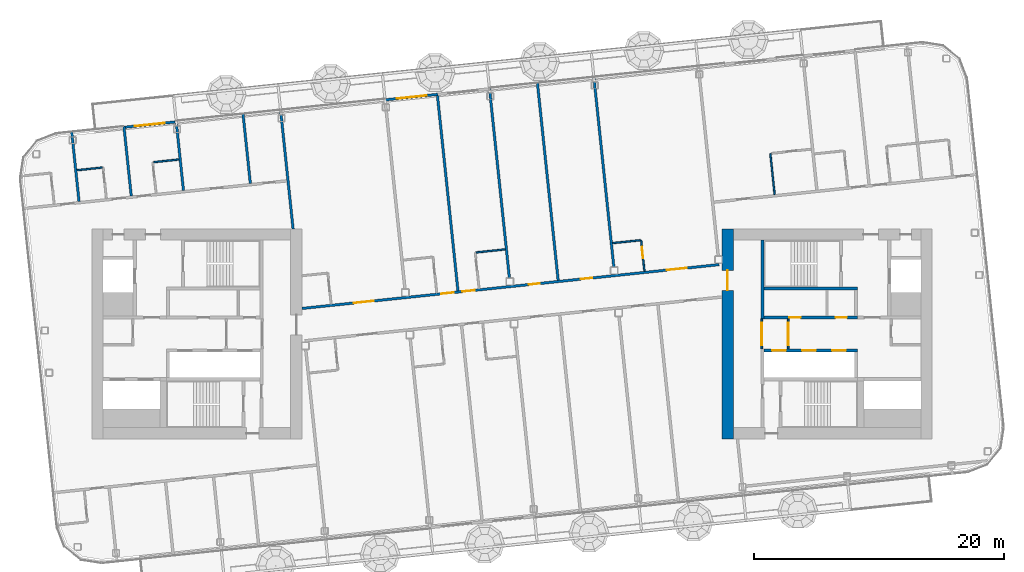
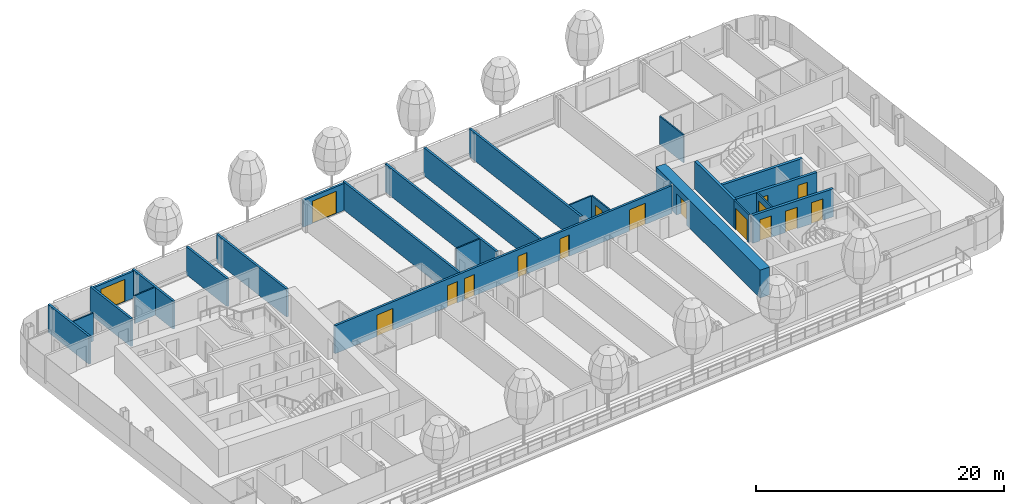
# One storey, part 15 of 30: 25 walls, 17 doors, 17 openings, 1 element without a shape of its own.
"""IFC4 building model written with IfcOpenShell, lengths in metres."""

import ifcopenshell
import ifcopenshell.guid

model = None  # the IFC model being written
_history = None  # IfcOwnerHistory: only IFC2X3 demands one
_inside = {}  # id of a spatial element -> (the spatial element, [elements in it])
_under = {}  # id of a project, library or spatial element -> (it, [spatial elements below it])
_declared = {}  # id of a project -> (the project, [libraries it declares])
_typed = {}  # id of a type object -> (the type object, [elements of that type])
_made_of = {}  # id of a material, layer set ... -> (it, [elements and type objects made of it])


def new_model(schema):
    """Start an empty IFC model of exactly this schema.

    Asked for "IFC4X3", IfcOpenShell would pick the latest addendum, in which some entities
    have other attributes; the version numbers below select the first issue.
    IFC2X3 requires an IfcOwnerHistory on every rooted entity: one is made here for all.
    """
    global model, _history
    if schema == "IFC4X3":
        model = ifcopenshell.file(schema_version=(4, 3, 0, 0))
    else:
        model = ifcopenshell.file(schema=schema)
    _inside.clear()
    _under.clear()
    _declared.clear()
    _typed.clear()
    _made_of.clear()
    _history = None
    if model.schema == "IFC2X3":
        org = make("IfcOrganization", Name="unknown")
        user = make(
            "IfcPersonAndOrganization",
            ThePerson=make("IfcPerson", FamilyName="unknown"),
            TheOrganization=org,
        )
        app = make(
            "IfcApplication",
            ApplicationDeveloper=org,
            Version="unknown",
            ApplicationFullName="unknown",
            ApplicationIdentifier="unknown",
        )
        _history = make(
            "IfcOwnerHistory",
            OwningUser=user,
            OwningApplication=app,
            ChangeAction="ADDED",
            CreationDate=0,
        )
    return model


def make(cls, **values):
    """One entity of the class cls with the attributes given. An attribute that is None is left unset."""
    return model.create_entity(
        cls, **{name: value for name, value in values.items() if value is not None}
    )


def rooted(cls, **values):
    """An entity with a GlobalId (a new one), such as an element, a storey or a relation."""
    return make(cls, GlobalId=ifcopenshell.guid.new(), OwnerHistory=_history, **values)


def si_unit(unit_type, name, prefix=None):
    """IfcSIUnit, for example si_unit("LENGTHUNIT", "METRE", prefix="MILLI")."""
    return make("IfcSIUnit", UnitType=unit_type, Prefix=prefix, Name=name)


def assignment(units):
    """IfcUnitAssignment: the units of a project."""
    return None if units is None else make("IfcUnitAssignment", Units=units)


def point(xyz):
    """IfcCartesianPoint."""
    return None if xyz is None else make("IfcCartesianPoint", Coordinates=xyz)


def direction(xyz):
    """IfcDirection."""
    return None if xyz is None else make("IfcDirection", DirectionRatios=xyz)


def frame(location, z_axis=None, x_axis=None):
    """IfcAxis2Placement3D, a coordinate frame: its origin and axes. An axis left out is left unset."""
    return make(
        "IfcAxis2Placement3D",
        Location=point(location),
        Axis=direction(z_axis),
        RefDirection=direction(x_axis),
    )


def frame_2d(location, x_axis=None):
    """IfcAxis2Placement2D, a coordinate frame in the plane: its origin and x axis."""
    return make(
        "IfcAxis2Placement2D", Location=point(location), RefDirection=direction(x_axis)
    )


def origin():
    """The frame at (0, 0, 0) with its axes left unset."""
    return frame((0.0, 0.0, 0.0))


def place(relative_to, where):
    """IfcLocalPlacement: puts the frame where relative to a parent placement (None: the world)."""
    return make(
        "IfcLocalPlacement", PlacementRelTo=relative_to, RelativePlacement=where
    )


def context(
    kind, dimensions, precision=None, world=None, true_north=None, identifier=None
):
    """IfcGeometricRepresentationContext, for example the 3D "Model" context."""
    return make(
        "IfcGeometricRepresentationContext",
        ContextIdentifier=identifier,
        ContextType=kind,
        CoordinateSpaceDimension=dimensions,
        Precision=precision,
        WorldCoordinateSystem=world,
        TrueNorth=true_north,
    )


def subcontext(parent, identifier, kind, view, scale=None):
    """IfcGeometricRepresentationSubContext, for example "Body" below "Model"."""
    return make(
        "IfcGeometricRepresentationSubContext",
        ContextIdentifier=identifier,
        ContextType=kind,
        ParentContext=parent,
        TargetScale=scale,
        TargetView=view,
    )


def project(units=None, contexts=None):
    """IfcProject with its units and contexts."""
    return rooted(
        "IfcProject",
        Name="project",
        RepresentationContexts=contexts,
        UnitsInContext=assignment(units),
    )


def spatial(cls, under=None, at=None, **own):
    """A site, building, storey or space (cls), placed at a placement, below another one or the project."""
    s = rooted(cls, ObjectPlacement=at, **own)
    if under is not None:
        _under.setdefault(under.id(), (under, []))[1].append(s)
    return s


def profile(cls, at=None, kind="AREA", **sizes):
    """A parametric profile (cls). Its sizes go by their IFC names, for example OverallWidth=200.0."""
    return make(cls, ProfileType=kind, Position=at, **sizes)


def rectangle(**sizes):
    """IfcRectangleProfileDef."""
    return profile("IfcRectangleProfileDef", **sizes)


def extrude(swept, where, along, depth):
    """IfcExtrudedAreaSolid: the profile swept, set in the frame where, extruded along a direction by depth."""
    return make(
        "IfcExtrudedAreaSolid",
        SweptArea=swept,
        Position=where,
        ExtrudedDirection=direction(along),
        Depth=depth,
    )


def shape(context_of_items, identifier, shape_type, items):
    """IfcShapeRepresentation: the items that make up one representation, for example the "Body"."""
    return make(
        "IfcShapeRepresentation",
        ContextOfItems=context_of_items,
        RepresentationIdentifier=identifier,
        RepresentationType=shape_type,
        Items=items,
    )


def material(Name=None, Category=None):
    """IfcMaterial."""
    return make("IfcMaterial", Name=Name, Category=Category)


def layer(
    of_material, thickness, ventilated=None, Name=None, Category=None, Priority=None
):
    """IfcMaterialLayer: one layer of a wall or slab, of a material (None: an air gap)."""
    return make(
        "IfcMaterialLayer",
        Material=of_material,
        LayerThickness=thickness,
        IsVentilated=ventilated,
        Name=Name,
        Category=Category,
        Priority=Priority,
    )


def layer_set(layers, Name=None):
    """IfcMaterialLayerSet."""
    return make("IfcMaterialLayerSet", MaterialLayers=layers, LayerSetName=Name)


def made_of(thing, what):
    """Note that an element or type object is made of a material, layer set ...; save() writes the relation."""
    if what is not None:
        _made_of.setdefault(what.id(), (what, []))[1].append(thing)
    return thing


def type_object(cls, material=None, **own):
    """A type object (cls), such as IfcWallType, which elements share."""
    return made_of(rooted(cls, **own), material)


def element(
    cls,
    number,
    at=None,
    inside=None,
    cuts=None,
    type_object=None,
    material=None,
    context=None,
    identifier="Body",
    shape_type=None,
    held_by="IfcProductDefinitionShape",
    body=None,
    shapes=None,
    **own,
):
    """One element of the class cls, such as IfcWall. Its Tag is "e" and its number.

    at: its placement. inside: the storey or other place that contains it. cuts: it is an
    opening in that element (IfcRelVoidsElement). A single representation is given by context,
    identifier, shape_type and body (its items); several are given by shapes. held_by: the class
    of the entity that holds the representations. save() writes the other relations.
    """
    e = rooted(cls, Tag="e%d" % number, ObjectPlacement=at, **own)
    if body is not None:
        shapes = [shape(context, identifier, shape_type, body)]
    if shapes is not None:
        e.Representation = make(held_by, Representations=shapes)
    if inside is not None:
        _inside.setdefault(inside.id(), (inside, []))[1].append(e)
    if cuts is not None:
        rooted(
            "IfcRelVoidsElement", RelatingBuildingElement=cuts, RelatedOpeningElement=e
        )
    if type_object is not None:
        _typed.setdefault(type_object.id(), (type_object, []))[1].append(e)
    return made_of(e, material)


def fill(opening, filler):
    """IfcRelFillsElement: the door or window that sits in an opening."""
    return rooted(
        "IfcRelFillsElement",
        RelatingOpeningElement=opening,
        RelatedBuildingElement=filler,
    )


def aggregate(whole, parts):
    """IfcRelAggregates: a whole, such as a stair, and the parts it consists of."""
    return rooted("IfcRelAggregates", RelatingObject=whole, RelatedObjects=parts)


def save(model, path):
    """Write the relations noted so far, then the file.

    IfcRelAggregates (storeys below a building ...), IfcRelContainedInSpatialStructure (elements
    in a storey), IfcRelDefinesByType, IfcRelAssociatesMaterial and IfcRelDeclares: one each for
    every whole, place, type object, material and project.
    """
    for whole, parts in _under.values():
        aggregate(whole, parts)
    for where, things in _inside.values():
        rooted(
            "IfcRelContainedInSpatialStructure",
            RelatedElements=things,
            RelatingStructure=where,
        )
    for kind, things in _typed.values():
        rooted("IfcRelDefinesByType", RelatedObjects=things, RelatingType=kind)
    for what, things in _made_of.values():
        rooted("IfcRelAssociatesMaterial", RelatedObjects=things, RelatingMaterial=what)
    for by, libraries in _declared.values():
        rooted("IfcRelDeclares", RelatingContext=by, RelatedDefinitions=libraries)
    model.write(path)


model = new_model("IFC4")

# Units and contexts
model_context = context("Model", 3, precision=1e-05, world=origin(), true_north=direction((0.0, 1.0)))
body_context = subcontext(model_context, "Body", "Model", "MODEL_VIEW")
ifc_project = project(units=[si_unit("LENGTHUNIT", "METRE"), si_unit("AREAUNIT", "SQUARE_METRE"), si_unit("VOLUMEUNIT", "CUBIC_METRE"), si_unit("PLANEANGLEUNIT", "RADIAN"), si_unit("MASSUNIT", "GRAM", prefix="KILO")], contexts=[model_context])

# Site, building, storey
site_placement = place(None, origin())
site = spatial("IfcSite", under=ifc_project, at=site_placement, CompositionType="ELEMENT")
building_placement = place(site_placement, origin())
building = spatial("IfcBuilding", under=site, at=building_placement, Name="Hakoniwa Tower and Hamabe Station Hall", CompositionType="ELEMENT")
storey_placement = place(building_placement, frame((0.0, 0.0, 245.39990234375)))
storey = spatial("IfcBuildingStorey", under=building, at=storey_placement, Name="L69", CompositionType="ELEMENT", Elevation=245.39990234375)

# Walls
ifc_material_1 = material(Name="Gypsum board partition", Category="gypsum")
ifc_layer_1 = layer(ifc_material_1, 0.125)
ifc_layer_set_1 = layer_set([ifc_layer_1], Name="Bathroom Partition 125")
wall_type_1 = type_object("IfcWallType", Name="Bathroom Partition 125", PredefinedType="PARTITIONING", material=ifc_layer_set_1)
wall_1_placement = place(storey_placement, frame((-2.87353515625, 6.521728515625, 0.0), z_axis=(0.0, 0.0, 1.0), x_axis=(0.994519751088, 0.104548862722, 0.0)))
element("IfcWall", 1, at=wall_1_placement, inside=storey, type_object=wall_type_1, Name="GW-L69-012", PredefinedType="PARTITIONING", context=body_context, shape_type="SweptSolid", body=[
    extrude(rectangle(XDim=2.33740234375, YDim=0.125, at=frame_2d((1.168701171875, 0.0))), origin(), (0.0, 0.0, 1.0), 2.75),
])
for number, where, z_axis, x_axis, name in (
    (2, (-34.798583984375, 13.100341796875, 0.0), (0.0, 0.0, 1.0), (0.994513984808, 0.104603699848, 0.0), "GW-L69-019"),
    (3, (-28.669921875, 13.74462890625, 0.0), (0.0, 0.0, 1.0), (0.994526442858, 0.104485187732, 0.0), "GW-L69-020"),
):
    element("IfcWall", number, at=place(storey_placement, frame(where, z_axis=z_axis, x_axis=x_axis)), inside=storey, type_object=wall_type_1, Name=name, PredefinedType="PARTITIONING", context=body_context, shape_type="SweptSolid", body=[
        extrude(rectangle(XDim=2.03759765625, YDim=0.125, at=frame_2d((1.018798828125, 0.0))), origin(), (0.0, 0.0, 1.0), 2.75),
    ])
wall_2_placement = place(storey_placement, frame((21.010498046875, 11.1552734375, 0.0), z_axis=(0.0, 0.0, 1.0), x_axis=(-0.10454228429, 0.994520442623, 0.0)))
element("IfcWall", 4, at=wall_2_placement, inside=storey, type_object=wall_type_1, Name="GW-L69-055", PredefinedType="PARTITIONING", context=body_context, shape_type="SweptSolid", body=[
    extrude(rectangle(XDim=3.2998046875, YDim=0.125, at=frame_2d((1.64990234375, 0.0))), origin(), (0.0, 0.0, 1.0), 2.75),
])

# Wall, opening, door
ifc_material_2 = material(Name="Gypsum board partition")
ifc_layer_2 = layer(ifc_material_2, 0.14990234375)
ifc_layer_set_2 = layer_set([ifc_layer_2], Name="CORE PARTITION 150 EI 60")
wall_type_2 = type_object("IfcWallType", Name="CORE PARTITION 150 EI 60", PredefinedType="PARTITIONING", material=ifc_layer_set_2)
wall_3_placement = place(storey_placement, frame((19.97509765625, -1.199951171875, 0.0), z_axis=(0.0, 0.0, 1.0), x_axis=(0.0, 1.0, 0.0)))
wall_3 = element("IfcWall", 5, at=wall_3_placement, inside=storey, type_object=wall_type_2, Name="Core partition PL0 east", PredefinedType="PARTITIONING", context=body_context, shape_type="SweptSolid", body=[
    extrude(rectangle(XDim=2.39990234375, YDim=0.14990234375, at=frame_2d((1.199951171875, 0.0))), origin(), (0.0, 0.0, 1.0), 2.75),
])
opening_1_placement = place(wall_3_placement, frame((0.300048828125, 0.0, 0.0)))
opening_1 = element("IfcOpeningElement", 6, at=opening_1_placement, cuts=wall_3, Name="Opening CD-E-LP0-18", PredefinedType="OPENING", context=body_context, shape_type="SweptSolid", body=[
    extrude(rectangle(XDim=1.800048828125, YDim=2.10009765625, at=frame_2d((0.89990234375, 1.050048828125))), frame((0.0, 0.0849609375, 0.0), z_axis=(0.0, -1.0, 0.0), x_axis=(1.0, 0.0, 0.0)), (0.0, 0.0, 1.0), 0.169921875),
])
ifc_material_3 = material(Name="Steel fire door", Category="steel")
door_type_1 = type_object("IfcDoorType", Name="CORE DOOR 1800 FD60", OperationType="DOUBLE_DOOR_SINGLE_SWING", PredefinedType="DOOR", material=ifc_material_3)
door_1_placement = place(opening_1_placement, origin())
door_1 = element("IfcDoor", 7, at=door_1_placement, inside=storey, type_object=door_type_1, Name="Lift lobby partition door", OperationType="DOUBLE_DOOR_SINGLE_SWING", OverallHeight=2.10009765625, OverallWidth=1.800048828125, PredefinedType="DOOR", context=body_context, shape_type="SweptSolid", body=[
    extrude(rectangle(XDim=1.800048828125, YDim=2.10009765625, at=frame_2d((0.89990234375, 1.050048828125))), frame((0.0, 0.02490234375, 0.0), z_axis=(0.0, -1.0, 0.0), x_axis=(1.0, 0.0, 0.0)), (0.0, 0.0, 1.0), 0.050048828125),
])
fill(opening_1, door_1)

wall_4_placement = place(storey_placement, frame((22.10009765625, -1.199951171875, 0.0), z_axis=(0.0, 0.0, 1.0), x_axis=(0.0, 1.0, 0.0)))
wall_4 = element("IfcWall", 8, at=wall_4_placement, inside=storey, type_object=wall_type_2, Name="Core partition PL1 east", PredefinedType="PARTITIONING", context=body_context, shape_type="SweptSolid", body=[
    extrude(rectangle(XDim=2.39990234375, YDim=0.14990234375, at=frame_2d((1.199951171875, 0.0))), origin(), (0.0, 0.0, 1.0), 2.75),
])
opening_2_placement = place(wall_4_placement, frame((0.300048828125, 0.0, 0.0)))
opening_2 = element("IfcOpeningElement", 9, at=opening_2_placement, cuts=wall_4, Name="Opening CD-E-LP1-18", PredefinedType="OPENING", context=body_context, shape_type="SweptSolid", body=[
    extrude(rectangle(XDim=1.800048828125, YDim=2.10009765625, at=frame_2d((0.89990234375, 1.050048828125))), frame((0.0, 0.0849609375, 0.0), z_axis=(0.0, -1.0, 0.0), x_axis=(1.0, 0.0, 0.0)), (0.0, 0.0, 1.0), 0.169921875),
])
door_2_placement = place(opening_2_placement, origin())
door_2 = element("IfcDoor", 10, at=door_2_placement, inside=storey, type_object=door_type_1, Name="Lift lobby partition door", OperationType="DOUBLE_DOOR_SINGLE_SWING", OverallHeight=2.10009765625, OverallWidth=1.800048828125, PredefinedType="DOOR", context=body_context, shape_type="SweptSolid", body=[
    extrude(rectangle(XDim=1.800048828125, YDim=2.10009765625, at=frame_2d((0.89990234375, 1.050048828125))), frame((0.0, 0.02490234375, 0.0), z_axis=(0.0, -1.0, 0.0), x_axis=(1.0, 0.0, 0.0)), (0.0, 0.0, 1.0), 0.050048828125),
])
fill(opening_2, door_2)

ifc_material_4 = material(Name="Concrete C60", Category="concrete")
ifc_layer_3 = layer(ifc_material_4, 0.89990234375)
ifc_layer_set_3 = layer_set([ifc_layer_3], Name="CORE WALL 900 C60")
wall_type_3 = type_object("IfcWallType", Name="CORE WALL 900 C60", PredefinedType="SHEAR", material=ifc_layer_set_3)
wall_5_placement = place(storey_placement, frame((17.25, -8.39990234375, 0.0), z_axis=(0.0, 0.0, 1.0), x_axis=(0.0, 1.0, 0.0)))
wall_5 = element("IfcWall", 11, at=wall_5_placement, inside=storey, type_object=wall_type_3, Name="Core wall INNER east", PredefinedType="SHEAR", context=body_context, shape_type="SweptSolid", body=[
    extrude(rectangle(XDim=16.7998046875, YDim=0.89990234375, at=frame_2d((8.39990234375, 0.0))), origin(), (0.0, 0.0, 1.0), 2.75),
])
opening_3_placement = place(wall_5_placement, frame((11.87890625, 0.0, 0.0)))
opening_3 = element("IfcOpeningElement", 12, at=opening_3_placement, cuts=wall_5, Name="Opening CD-E-IN1-16", PredefinedType="OPENING", context=body_context, shape_type="SweptSolid", body=[
    extrude(rectangle(XDim=1.60009765625, YDim=2.10009765625, at=frame_2d((0.800048828125, 1.050048828125))), frame((0.0, 0.4599609375, 0.0), z_axis=(0.0, -1.0, 0.0), x_axis=(1.0, 0.0, 0.0)), (0.0, 0.0, 1.0), 0.919921875),
])
ifc_material_5 = material(Name="Steel fire door", Category="steel")
door_type_2 = type_object("IfcDoorType", Name="CORE DOOR 1600 FD60", OperationType="DOUBLE_DOOR_SINGLE_SWING", PredefinedType="DOOR", material=ifc_material_5)
door_3_placement = place(opening_3_placement, origin())
door_3 = element("IfcDoor", 13, at=door_3_placement, inside=storey, type_object=door_type_2, Name="Lift lobby door", OperationType="DOUBLE_DOOR_SINGLE_SWING", OverallHeight=2.10009765625, OverallWidth=1.60009765625, PredefinedType="DOOR", context=body_context, shape_type="SweptSolid", body=[
    extrude(rectangle(XDim=1.60009765625, YDim=2.10009765625, at=frame_2d((0.800048828125, 1.050048828125))), frame((0.0, 0.02490234375, 0.0), z_axis=(0.0, -1.0, 0.0), x_axis=(1.0, 0.0, 0.0)), (0.0, 0.0, 1.0), 0.050048828125),
])
fill(opening_3, door_3)

# Wall
ifc_material_6 = material(Name="Concrete C60", Category="concrete")
ifc_layer_4 = layer(ifc_material_6, 0.25)
ifc_layer_set_4 = layer_set([ifc_layer_4], Name="CORE WEB WALL 250 C60")
wall_type_4 = type_object("IfcWallType", Name="CORE WEB WALL 250 C60", PredefinedType="SHEAR", material=ifc_layer_set_4)
wall_6_placement = place(storey_placement, frame((20.02490234375, 1.199951171875, 0.0), z_axis=(0.0, 0.0, 1.0), x_axis=(0.0, 1.0, 0.0)))
element("IfcWall", 14, at=wall_6_placement, inside=storey, type_object=wall_type_4, Name="Core wall W1N east", PredefinedType="SHEAR", context=body_context, shape_type="SweptSolid", body=[
    extrude(rectangle(XDim=6.300048828125, YDim=0.25, at=frame_2d((3.14990234375, 0.0))), origin(), (0.0, 0.0, 1.0), 2.75),
])

# Wall, openings, doors
wall_7_placement = place(storey_placement, frame((20.14990234375, 1.324951171875, 0.0), z_axis=(0.0, 0.0, 1.0), x_axis=(1.0, 0.0, 0.0)))
wall_7 = element("IfcWall", 15, at=wall_7_placement, inside=storey, type_object=wall_type_4, Name="Core wall NF east", PredefinedType="SHEAR", context=body_context, shape_type="SweptSolid", body=[
    extrude(rectangle(XDim=7.5, YDim=0.25, at=frame_2d((3.75, 0.0))), origin(), (0.0, 0.0, 1.0), 2.75),
])
opening_4_placement = place(wall_7_placement, frame((2.03759765625, 0.0, 0.0)))
opening_4 = element("IfcOpeningElement", 16, at=opening_4_placement, cuts=wall_7, Name="Opening CD-E-FRLR0-9", PredefinedType="OPENING", context=body_context, shape_type="SweptSolid", body=[
    extrude(rectangle(XDim=0.89990234375, YDim=2.10009765625, at=frame_2d((0.449951171875, 1.050048828125))), frame((0.0, 0.135009765625, 0.0), z_axis=(0.0, -1.0, 0.0), x_axis=(1.0, 0.0, 0.0)), (0.0, 0.0, 1.0), 0.27001953125),
])
opening_5_placement = place(wall_7_placement, frame((5.737548828125, 0.0, 0.0)))
opening_5 = element("IfcOpeningElement", 17, at=opening_5_placement, cuts=wall_7, Name="Opening CD-E-FRLR1-9", PredefinedType="OPENING", context=body_context, shape_type="SweptSolid", body=[
    extrude(rectangle(XDim=0.89990234375, YDim=2.10009765625, at=frame_2d((0.449951171875, 1.050048828125))), frame((0.0, 0.135009765625, 0.0), z_axis=(0.0, -1.0, 0.0), x_axis=(1.0, 0.0, 0.0)), (0.0, 0.0, 1.0), 0.27001953125),
])
ifc_material_7 = material(Name="Steel fire door", Category="steel")
door_type_3 = type_object("IfcDoorType", Name="CORE DOOR 900 FD30", OperationType="NOTDEFINED", PredefinedType="DOOR", material=ifc_material_7)
door_4_placement = place(opening_4_placement, origin())
door_4 = element("IfcDoor", 18, at=door_4_placement, inside=storey, type_object=door_type_3, Name="Store room door", OperationType="SINGLE_SWING_LEFT", OverallHeight=2.10009765625, OverallWidth=0.89990234375, PredefinedType="DOOR", context=body_context, shape_type="SweptSolid", body=[
    extrude(rectangle(XDim=0.89990234375, YDim=2.10009765625, at=frame_2d((0.449951171875, 1.050048828125))), frame((0.0, 0.02490234375, 0.0), z_axis=(0.0, -1.0, 0.0), x_axis=(1.0, 0.0, 0.0)), (0.0, 0.0, 1.0), 0.050048828125),
])
fill(opening_4, door_4)
door_5_placement = place(opening_5_placement, origin())
door_5 = element("IfcDoor", 19, at=door_5_placement, inside=storey, type_object=door_type_3, Name="Store room door", OperationType="SINGLE_SWING_RIGHT", OverallHeight=2.10009765625, OverallWidth=0.89990234375, PredefinedType="DOOR", context=body_context, shape_type="SweptSolid", body=[
    extrude(rectangle(XDim=0.89990234375, YDim=2.10009765625, at=frame_2d((0.449951171875, 1.050048828125))), frame((0.0, 0.02490234375, 0.0), z_axis=(0.0, -1.0, 0.0), x_axis=(1.0, 0.0, 0.0)), (0.0, 0.0, 1.0), 0.050048828125),
])
fill(opening_5, door_5)

# Wall
wall_8_placement = place(storey_placement, frame((20.14990234375, 3.625, 0.0), z_axis=(0.0, 0.0, 1.0), x_axis=(1.0, 0.0, 0.0)))
element("IfcWall", 20, at=wall_8_placement, inside=storey, type_object=wall_type_4, Name="Core wall NR east", PredefinedType="SHEAR", context=body_context, shape_type="SweptSolid", body=[
    extrude(rectangle(XDim=7.5, YDim=0.25, at=frame_2d((3.75, 0.0))), origin(), (0.0, 0.0, 1.0), 2.75),
])

# Wall, openings, doors
wall_9_placement = place(storey_placement, frame((20.14990234375, -1.324951171875, 0.0), z_axis=(0.0, 0.0, 1.0), x_axis=(1.0, 0.0, 0.0)))
wall_9 = element("IfcWall", 21, at=wall_9_placement, inside=storey, type_object=wall_type_4, Name="Core wall SF east", PredefinedType="SHEAR", context=body_context, shape_type="SweptSolid", body=[
    extrude(rectangle(XDim=7.5, YDim=0.25, at=frame_2d((3.75, 0.0))), origin(), (0.0, 0.0, 1.0), 2.75),
])
opening_6_placement = place(wall_9_placement, frame((0.64990234375, 0.0, 0.0)))
opening_6 = element("IfcOpeningElement", 22, at=opening_6_placement, cuts=wall_9, Name="Opening LD-HR4", PredefinedType="OPENING", context=body_context, shape_type="SweptSolid", body=[
    extrude(rectangle(XDim=1.10009765625, YDim=2.10009765625, at=frame_2d((0.550048828125, 1.050048828125))), frame((0.0, 0.135009765625, 0.0), z_axis=(0.0, -1.0, 0.0), x_axis=(1.0, 0.0, 0.0)), (0.0, 0.0, 1.0), 0.27001953125),
])
opening_7_placement = place(wall_9_placement, frame((3.050048828125, 0.0, 0.0)))
opening_7 = element("IfcOpeningElement", 23, at=opening_7_placement, cuts=wall_9, Name="Opening LD-HR5", PredefinedType="OPENING", context=body_context, shape_type="SweptSolid", body=[
    extrude(rectangle(XDim=1.10009765625, YDim=2.10009765625, at=frame_2d((0.550048828125, 1.050048828125))), frame((0.0, 0.135009765625, 0.0), z_axis=(0.0, -1.0, 0.0), x_axis=(1.0, 0.0, 0.0)), (0.0, 0.0, 1.0), 0.27001953125),
])
opening_8_placement = place(wall_9_placement, frame((5.449951171875, 0.0, 0.0)))
opening_8 = element("IfcOpeningElement", 24, at=opening_8_placement, cuts=wall_9, Name="Opening LD-HR6", PredefinedType="OPENING", context=body_context, shape_type="SweptSolid", body=[
    extrude(rectangle(XDim=1.10009765625, YDim=2.10009765625, at=frame_2d((0.550048828125, 1.050048828125))), frame((0.0, 0.135009765625, 0.0), z_axis=(0.0, -1.0, 0.0), x_axis=(1.0, 0.0, 0.0)), (0.0, 0.0, 1.0), 0.27001953125),
])
ifc_material_8 = material(Name="Stainless steel SUS304", Category="steel")
door_type_4 = type_object("IfcDoorType", Name="LIFT LANDING DOOR 1100 FD60", OperationType="DOUBLE_DOOR_SLIDING", PredefinedType="DOOR", material=ifc_material_8)
door_6_placement = place(opening_6_placement, origin())
door_6 = element("IfcDoor", 25, at=door_6_placement, inside=storey, type_object=door_type_4, Name="Lift landing door HR4 L69", OperationType="DOUBLE_DOOR_SLIDING", OverallHeight=2.10009765625, OverallWidth=1.10009765625, PredefinedType="DOOR", context=body_context, shape_type="SweptSolid", body=[
    extrude(rectangle(XDim=1.10009765625, YDim=2.10009765625, at=frame_2d((0.550048828125, 1.050048828125))), frame((0.0, 0.02490234375, 0.0), z_axis=(0.0, -1.0, 0.0), x_axis=(1.0, 0.0, 0.0)), (0.0, 0.0, 1.0), 0.050048828125),
])
fill(opening_6, door_6)
door_7_placement = place(opening_7_placement, origin())
door_7 = element("IfcDoor", 26, at=door_7_placement, inside=storey, type_object=door_type_4, Name="Lift landing door HR5 L69", OperationType="DOUBLE_DOOR_SLIDING", OverallHeight=2.10009765625, OverallWidth=1.10009765625, PredefinedType="DOOR", context=body_context, shape_type="SweptSolid", body=[
    extrude(rectangle(XDim=1.10009765625, YDim=2.10009765625, at=frame_2d((0.550048828125, 1.050048828125))), frame((0.0, 0.02490234375, 0.0), z_axis=(0.0, -1.0, 0.0), x_axis=(1.0, 0.0, 0.0)), (0.0, 0.0, 1.0), 0.050048828125),
])
fill(opening_7, door_7)
door_8_placement = place(opening_8_placement, origin())
door_8 = element("IfcDoor", 27, at=door_8_placement, inside=storey, type_object=door_type_4, Name="Lift landing door HR6 L69", OperationType="DOUBLE_DOOR_SLIDING", OverallHeight=2.10009765625, OverallWidth=1.10009765625, PredefinedType="DOOR", context=body_context, shape_type="SweptSolid", body=[
    extrude(rectangle(XDim=1.10009765625, YDim=2.10009765625, at=frame_2d((0.550048828125, 1.050048828125))), frame((0.0, 0.02490234375, 0.0), z_axis=(0.0, -1.0, 0.0), x_axis=(1.0, 0.0, 0.0)), (0.0, 0.0, 1.0), 0.050048828125),
])
fill(opening_8, door_8)

ifc_material_9 = material(Name="Fire-rated gypsum board partition", Category="gypsum")
ifc_layer_5 = layer(ifc_material_9, 0.199951171875)
ifc_layer_set_5 = layer_set([ifc_layer_5], Name="Corridor Wall 200")
wall_type_5 = type_object("IfcWallType", Name="Corridor Wall 200", PredefinedType="PARTITIONING", material=ifc_layer_set_5)
wall_10_placement = place(storey_placement, frame((-16.804931640625, 2.040771484375, 0.0), z_axis=(0.0, 0.0, 1.0), x_axis=(0.994521146831, 0.104535584879, 0.0)))
wall_10 = element("IfcWall", 28, at=wall_10_placement, inside=storey, type_object=wall_type_5, Name="GW-L69-008", PredefinedType="PARTITIONING", context=body_context, shape_type="SweptSolid", body=[
    extrude(rectangle(XDim=33.560791015625, YDim=0.199951171875, at=frame_2d((16.7802734375, 0.0))), origin(), (0.0, 0.0, 1.0), 2.75),
])
opening_9_placement = place(wall_10_placement, frame((4.160888671875, 0.0, 0.0)))
opening_9 = element("IfcOpeningElement", 29, at=opening_9_placement, cuts=wall_10, Name="Opening GD-G5C0-13", PredefinedType="OPENING", context=body_context, shape_type="SweptSolid", body=[
    extrude(rectangle(XDim=1.60009765625, YDim=2.10009765625, at=frame_2d((0.800048828125, 1.050048828125))), frame((0.0, 0.10986328125, 0.0), z_axis=(0.0, -1.0, 0.0), x_axis=(1.0, 0.0, 0.0)), (0.0, 0.0, 1.0), 0.219970703125),
])
opening_10_placement = place(wall_10_placement, frame((11.2109375, 0.0, 0.0)))
opening_10 = element("IfcOpeningElement", 30, at=opening_10_placement, cuts=wall_10, Name="Opening GD-G5C0-14", PredefinedType="OPENING", context=body_context, shape_type="SweptSolid", body=[
    extrude(rectangle(XDim=1.0, YDim=2.10009765625, at=frame_2d((0.5, 1.050048828125))), frame((0.0, 0.10986328125, 0.0), z_axis=(0.0, -1.0, 0.0), x_axis=(1.0, 0.0, 0.0)), (0.0, 0.0, 1.0), 0.219970703125),
])
opening_11_placement = place(wall_10_placement, frame((12.910888671875, 0.0, 0.0)))
opening_11 = element("IfcOpeningElement", 31, at=opening_11_placement, cuts=wall_10, Name="Opening GD-G5C0-15", PredefinedType="OPENING", context=body_context, shape_type="SweptSolid", body=[
    extrude(rectangle(XDim=1.0, YDim=2.10009765625, at=frame_2d((0.5, 1.050048828125))), frame((0.0, 0.10986328125, 0.0), z_axis=(0.0, -1.0, 0.0), x_axis=(1.0, 0.0, 0.0)), (0.0, 0.0, 1.0), 0.219970703125),
])
opening_12_placement = place(wall_10_placement, frame((18.240966796875, 0.0, 0.0)))
opening_12 = element("IfcOpeningElement", 32, at=opening_12_placement, cuts=wall_10, Name="Opening GD-G5C0-16", PredefinedType="OPENING", context=body_context, shape_type="SweptSolid", body=[
    extrude(rectangle(XDim=0.89990234375, YDim=2.10009765625, at=frame_2d((0.449951171875, 1.050048828125))), frame((0.0, 0.10986328125, 0.0), z_axis=(0.0, -1.0, 0.0), x_axis=(1.0, 0.0, 0.0)), (0.0, 0.0, 1.0), 0.219970703125),
])
opening_13_placement = place(wall_10_placement, frame((22.44091796875, 0.0, 0.0)))
opening_13 = element("IfcOpeningElement", 33, at=opening_13_placement, cuts=wall_10, Name="Opening GD-G5C0-17", PredefinedType="OPENING", context=body_context, shape_type="SweptSolid", body=[
    extrude(rectangle(XDim=0.89990234375, YDim=2.10009765625, at=frame_2d((0.449951171875, 1.050048828125))), frame((0.0, 0.10986328125, 0.0), z_axis=(0.0, -1.0, 0.0), x_axis=(1.0, 0.0, 0.0)), (0.0, 0.0, 1.0), 0.219970703125),
])
opening_14_placement = place(wall_10_placement, frame((29.36083984375, 0.0, 0.0)))
opening_14 = element("IfcOpeningElement", 34, at=opening_14_placement, cuts=wall_10, Name="Opening GD-G5C0-18", PredefinedType="OPENING", context=body_context, shape_type="SweptSolid", body=[
    extrude(rectangle(XDim=1.60009765625, YDim=2.10009765625, at=frame_2d((0.800048828125, 1.050048828125))), frame((0.0, 0.10986328125, 0.0), z_axis=(0.0, -1.0, 0.0), x_axis=(1.0, 0.0, 0.0)), (0.0, 0.0, 1.0), 0.219970703125),
])
ifc_material_10 = material(Name="Timber door leaf", Category="wood")
door_type_5 = type_object("IfcDoorType", Name="Double Door 1600", OperationType="DOUBLE_DOOR_SINGLE_SWING", PredefinedType="DOOR", material=ifc_material_10)
door_9_placement = place(opening_9_placement, origin())
door_9 = element("IfcDoor", 35, at=door_9_placement, inside=storey, type_object=door_type_5, Name="Door GD-G5C0-13", OperationType="DOUBLE_DOOR_SINGLE_SWING", OverallHeight=2.10009765625, OverallWidth=1.60009765625, PredefinedType="DOOR", context=body_context, shape_type="SweptSolid", body=[
    extrude(rectangle(XDim=1.60009765625, YDim=2.10009765625, at=frame_2d((0.800048828125, 1.050048828125))), frame((0.0, 0.02490234375, 0.0), z_axis=(0.0, -1.0, 0.0), x_axis=(1.0, 0.0, 0.0)), (0.0, 0.0, 1.0), 0.050048828125),
])
fill(opening_9, door_9)
door_10_placement = place(opening_14_placement, origin())
door_10 = element("IfcDoor", 36, at=door_10_placement, inside=storey, type_object=door_type_5, Name="Door GD-G5C0-18", OperationType="DOUBLE_DOOR_SINGLE_SWING", OverallHeight=2.10009765625, OverallWidth=1.60009765625, PredefinedType="DOOR", context=body_context, shape_type="SweptSolid", body=[
    extrude(rectangle(XDim=1.60009765625, YDim=2.10009765625, at=frame_2d((0.800048828125, 1.050048828125))), frame((0.0, 0.02490234375, 0.0), z_axis=(0.0, -1.0, 0.0), x_axis=(1.0, 0.0, 0.0)), (0.0, 0.0, 1.0), 0.050048828125),
])
fill(opening_14, door_10)
ifc_material_11 = material(Name="Timber door leaf", Category="wood")
door_type_6 = type_object("IfcDoorType", Name="Guest Entrance Door 1000", OperationType="SINGLE_SWING_LEFT", PredefinedType="DOOR", material=ifc_material_11)
door_11_placement = place(opening_10_placement, origin())
door_11 = element("IfcDoor", 37, at=door_11_placement, inside=storey, type_object=door_type_6, Name="Door GD-G5C0-14", OperationType="SINGLE_SWING_LEFT", OverallHeight=2.10009765625, OverallWidth=1.0, PredefinedType="DOOR", context=body_context, shape_type="SweptSolid", body=[
    extrude(rectangle(XDim=1.0, YDim=2.10009765625, at=frame_2d((0.5, 1.050048828125))), frame((0.0, 0.02490234375, 0.0), z_axis=(0.0, -1.0, 0.0), x_axis=(1.0, 0.0, 0.0)), (0.0, 0.0, 1.0), 0.050048828125),
])
fill(opening_10, door_11)
door_12_placement = place(opening_11_placement, origin())
door_12 = element("IfcDoor", 38, at=door_12_placement, inside=storey, type_object=door_type_6, Name="Door GD-G5C0-15", OperationType="SINGLE_SWING_RIGHT", OverallHeight=2.10009765625, OverallWidth=1.0, PredefinedType="DOOR", context=body_context, shape_type="SweptSolid", body=[
    extrude(rectangle(XDim=1.0, YDim=2.10009765625, at=frame_2d((0.5, 1.050048828125))), frame((0.0, 0.02490234375, 0.0), z_axis=(0.0, -1.0, 0.0), x_axis=(1.0, 0.0, 0.0)), (0.0, 0.0, 1.0), 0.050048828125),
])
fill(opening_11, door_12)
ifc_material_12 = material(Name="Timber door leaf", Category="wood")
door_type_7 = type_object("IfcDoorType", Name="Service Door 900", OperationType="SINGLE_SWING_LEFT", PredefinedType="DOOR", material=ifc_material_12)
door_13_placement = place(opening_12_placement, origin())
door_13 = element("IfcDoor", 39, at=door_13_placement, inside=storey, type_object=door_type_7, Name="Door GD-G5C0-16", OperationType="SINGLE_SWING_LEFT", OverallHeight=2.10009765625, OverallWidth=0.89990234375, PredefinedType="DOOR", context=body_context, shape_type="SweptSolid", body=[
    extrude(rectangle(XDim=0.89990234375, YDim=2.10009765625, at=frame_2d((0.449951171875, 1.050048828125))), frame((0.0, 0.02490234375, 0.0), z_axis=(0.0, -1.0, 0.0), x_axis=(1.0, 0.0, 0.0)), (0.0, 0.0, 1.0), 0.050048828125),
])
fill(opening_12, door_13)
door_14_placement = place(opening_13_placement, origin())
door_14 = element("IfcDoor", 40, at=door_14_placement, inside=storey, type_object=door_type_7, Name="Door GD-G5C0-17", OperationType="SINGLE_SWING_RIGHT", OverallHeight=2.10009765625, OverallWidth=0.89990234375, PredefinedType="DOOR", context=body_context, shape_type="SweptSolid", body=[
    extrude(rectangle(XDim=0.89990234375, YDim=2.10009765625, at=frame_2d((0.449951171875, 1.050048828125))), frame((0.0, 0.02490234375, 0.0), z_axis=(0.0, -1.0, 0.0), x_axis=(1.0, 0.0, 0.0)), (0.0, 0.0, 1.0), 0.050048828125),
])
fill(opening_13, door_14)

# Curtain wall, walls, openings, doors
ifc_material_13 = material(Name="Dark low-e laminated glass", Category="glass")
ifc_layer_6 = layer(ifc_material_13, 0.199951171875)
ifc_layer_set_6 = layer_set([ifc_layer_6], Name="CW-1 UNITISED GUEST")
curtain_wall_type = type_object("IfcCurtainWallType", Name="CW-1 UNITISED GUEST", PredefinedType="NOTDEFINED", material=ifc_layer_set_6)
curtain_wall_placement = place(storey_placement, origin())
curtain_wall = element("IfcCurtainWall", 41, at=curtain_wall_placement, inside=storey, type_object=curtain_wall_type, Name="CW-1 curtain wall", PredefinedType="NOTDEFINED")
ifc_material_14 = material(Name="Dark glass-faced aluminium panel", Category="aluminium")
ifc_layer_7 = layer(ifc_material_14, 0.199951171875)
ifc_layer_set_7 = layer_set([ifc_layer_7], Name="DOOR BAY WALL")
wall_type_6 = type_object("IfcWallType", Name="DOOR BAY WALL", PredefinedType="NOTDEFINED", material=ifc_layer_set_7)
wall_11_placement = place(storey_placement, frame((-5.93505859375, 19.1708984375, 0.0), z_axis=(0.0, 0.0, 1.0), x_axis=(-0.994520974641, -0.104537223034, 0.0)))
wall_11 = element("IfcWall", 42, at=wall_11_placement, type_object=wall_type_6, Name="Door bay wall", PredefinedType="NOTDEFINED", context=body_context, shape_type="SweptSolid", body=[
    extrude(rectangle(XDim=4.22021484375, YDim=0.199951171875, at=frame_2d((2.110107421875, 0.0))), origin(), (0.0, 0.0, 1.0), 2.650146484375),
])
opening_15_placement = place(wall_11_placement, frame((0.909912109375, 0.0, 0.0)))
opening_15 = element("IfcOpeningElement", 43, at=opening_15_placement, cuts=wall_11, Name="Opening BD-N03-1", PredefinedType="OPENING", context=body_context, shape_type="SweptSolid", body=[
    extrude(rectangle(XDim=2.39990234375, YDim=2.199951171875, at=frame_2d((1.199951171875, 1.10009765625))), frame((0.0, 0.10986328125, 0.0), z_axis=(0.0, -1.0, 0.0), x_axis=(1.0, 0.0, 0.0)), (0.0, 0.0, 1.0), 0.219970703125),
])
ifc_material_15 = material(Name="Dark low-e laminated glass", Category="glass")
door_type_8 = type_object("IfcDoorType", Name="BALCONY SLIDING DOOR 2400X2200", OperationType="SLIDING_TO_LEFT", PredefinedType="DOOR", material=ifc_material_15)
door_15_placement = place(opening_15_placement, frame((2.39990234375, 0.0, 0.0), z_axis=(0.0, 0.0, 1.0), x_axis=(-1.0, 0.0, 0.0)))
door_15 = element("IfcDoor", 44, at=door_15_placement, inside=storey, type_object=door_type_8, Name="Balcony sliding door", OperationType="SLIDING_TO_LEFT", OverallHeight=2.199951171875, OverallWidth=2.39990234375, PredefinedType="DOOR", context=body_context, shape_type="SweptSolid", body=[
    extrude(rectangle(XDim=2.39990234375, YDim=2.199951171875, at=frame_2d((1.199951171875, 1.10009765625))), frame((0.0, 0.02490234375, 0.0), z_axis=(0.0, -1.0, 0.0), x_axis=(1.0, 0.0, 0.0)), (0.0, 0.0, 1.0), 0.050048828125),
])
fill(opening_15, door_15)
wall_12_placement = place(storey_placement, frame((-26.879638671875, 16.969482421875, 0.0), z_axis=(0.0, 0.0, 1.0), x_axis=(-0.994526987506, -0.104480003457, 0.0)))
wall_12 = element("IfcWall", 45, at=wall_12_placement, type_object=wall_type_6, Name="Door bay wall", PredefinedType="NOTDEFINED", context=body_context, shape_type="SweptSolid", body=[
    extrude(rectangle(XDim=4.22021484375, YDim=0.199951171875, at=frame_2d((2.110107421875, 0.0))), origin(), (0.0, 0.0, 1.0), 2.650146484375),
])
opening_16_placement = place(wall_12_placement, frame((0.909912109375, 0.0, 0.0)))
opening_16 = element("IfcOpeningElement", 46, at=opening_16_placement, cuts=wall_12, Name="Opening BD-N03-7", PredefinedType="OPENING", context=body_context, shape_type="SweptSolid", body=[
    extrude(rectangle(XDim=2.39990234375, YDim=2.199951171875, at=frame_2d((1.199951171875, 1.10009765625))), frame((0.0, 0.10986328125, 0.0), z_axis=(0.0, -1.0, 0.0), x_axis=(1.0, 0.0, 0.0)), (0.0, 0.0, 1.0), 0.219970703125),
])
door_16_placement = place(opening_16_placement, frame((2.39990234375, 0.0, 0.0), z_axis=(0.0, 0.0, 1.0), x_axis=(-1.0, 0.0, 0.0)))
door_16 = element("IfcDoor", 47, at=door_16_placement, inside=storey, type_object=door_type_8, Name="Balcony sliding door", OperationType="SLIDING_TO_LEFT", OverallHeight=2.199951171875, OverallWidth=2.39990234375, PredefinedType="DOOR", context=body_context, shape_type="SweptSolid", body=[
    extrude(rectangle(XDim=2.39990234375, YDim=2.199951171875, at=frame_2d((1.199951171875, 1.10009765625))), frame((0.0, 0.02490234375, 0.0), z_axis=(0.0, -1.0, 0.0), x_axis=(1.0, 0.0, 0.0)), (0.0, 0.0, 1.0), 0.050048828125),
])
fill(opening_16, door_16)
aggregate(curtain_wall, [wall_11, wall_12])

# Walls
ifc_material_16 = material(Name="Fire-rated gypsum board partition", Category="gypsum")
ifc_layer_8 = layer(ifc_material_16, 0.199951171875)
ifc_layer_set_8 = layer_set([ifc_layer_8], Name="Party Wall 200")
wall_type_7 = type_object("IfcWallType", Name="Party Wall 200", PredefinedType="PARTITIONING", material=ifc_layer_set_8)
for number, where, z_axis, x_axis, name in (
    (48, (-34.63671875, 10.603759765625, 0.0), (0.0, 0.0, 1.0), (-0.104560413987, 0.994518536693, 0.0), "GW-L69-024"),
    (49, (-30.459716796875, 11.042724609375, 0.0), (0.0, 0.0, 1.0), (-0.104560413987, 0.994518536693, 0.0), "GW-L69-026"),
    (50, (-26.28271484375, 11.481689453125, 0.0), (0.0, 0.0, 1.0), (-0.104560413987, 0.994518536693, 0.0), "GW-L69-030"),
):
    element("IfcWall", number, at=place(storey_placement, frame(where, z_axis=z_axis, x_axis=x_axis)), inside=storey, type_object=wall_type_7, Name=name, PredefinedType="PARTITIONING", context=body_context, shape_type="SweptSolid", body=[
        extrude(rectangle(XDim=5.6201171875, YDim=0.199951171875, at=frame_2d((2.81005859375, 0.0))), origin(), (0.0, 0.0, 1.0), 2.75),
    ])
wall_13_placement = place(storey_placement, frame((-20.932373046875, 12.0439453125, 0.0), z_axis=(0.0, 0.0, 1.0), x_axis=(-0.104512933269, 0.994523527514, 0.0)))
element("IfcWall", 51, at=wall_13_placement, inside=storey, type_object=wall_type_7, Name="GW-L69-032", PredefinedType="PARTITIONING", context=body_context, shape_type="SweptSolid", body=[
    extrude(rectangle(XDim=5.620361328125, YDim=0.199951171875, at=frame_2d((2.81005859375, 0.0))), origin(), (0.0, 0.0, 1.0), 2.75),
])
wall_14_placement = place(storey_placement, frame((-17.51220703125, 8.39501953125, 0.0), z_axis=(0.0, 0.0, 1.0), x_axis=(-0.104524714473, 0.994522289375, 0.0)))
element("IfcWall", 52, at=wall_14_placement, inside=storey, type_object=wall_type_7, Name="GW-L69-034", PredefinedType="PARTITIONING", context=body_context, shape_type="SweptSolid", body=[
    extrude(rectangle(XDim=9.60693359375, YDim=0.199951171875, at=frame_2d((4.803466796875, 0.0))), origin(), (0.0, 0.0, 1.0), 2.75),
])
wall_15_placement = place(storey_placement, frame((-4.3232421875, 3.453369140625, 0.0), z_axis=(0.0, 0.0, 1.0), x_axis=(-0.104536114326, 0.99452109118, 0.0)))
element("IfcWall", 53, at=wall_15_placement, inside=storey, type_object=wall_type_7, Name="GW-L69-042", PredefinedType="PARTITIONING", context=body_context, shape_type="SweptSolid", body=[
    extrude(rectangle(XDim=15.89990234375, YDim=0.199951171875, at=frame_2d((7.949951171875, 0.0))), origin(), (0.0, 0.0, 1.0), 2.75),
])
wall_16_placement = place(storey_placement, frame((-0.208251953125, 4.480712890625, 0.0), z_axis=(0.0, 0.0, 1.0), x_axis=(-0.104523729364, 0.99452239291, 0.0)))
element("IfcWall", 54, at=wall_16_placement, inside=storey, type_object=wall_type_7, Name="GW-L69-046", PredefinedType="PARTITIONING", context=body_context, shape_type="SweptSolid", body=[
    extrude(rectangle(XDim=15.308349609375, YDim=0.199951171875, at=frame_2d((7.654296875, 0.0))), origin(), (0.0, 0.0, 1.0), 2.75),
])
wall_17_placement = place(storey_placement, frame((3.692626953125, 4.2958984375, 0.0), z_axis=(0.0, 0.0, 1.0), x_axis=(-0.104536114326, 0.99452109118, 0.0)))
element("IfcWall", 55, at=wall_17_placement, inside=storey, type_object=wall_type_7, Name="GW-L69-048", PredefinedType="PARTITIONING", context=body_context, shape_type="SweptSolid", body=[
    extrude(rectangle(XDim=15.89990234375, YDim=0.199951171875, at=frame_2d((7.949951171875, 0.0))), origin(), (0.0, 0.0, 1.0), 2.75),
])
wall_18_placement = place(storey_placement, frame((8.145751953125, 5.358642578125, 0.0), z_axis=(0.0, 0.0, 1.0), x_axis=(-0.104523729364, 0.99452239291, 0.0)))
element("IfcWall", 56, at=wall_18_placement, inside=storey, type_object=wall_type_7, Name="GW-L69-050", PredefinedType="PARTITIONING", context=body_context, shape_type="SweptSolid", body=[
    extrude(rectangle(XDim=15.308349609375, YDim=0.199951171875, at=frame_2d((7.654296875, 0.0))), origin(), (0.0, 0.0, 1.0), 2.75),
])
ifc_material_17 = material(Name="Gypsum board partition", Category="gypsum")
ifc_layer_9 = layer(ifc_material_17, 0.125)
ifc_layer_set_9 = layer_set([ifc_layer_9], Name="Room Partition 125")
wall_type_8 = type_object("IfcWallType", Name="Room Partition 125", PredefinedType="PARTITIONING", material=ifc_layer_set_9)
wall_19_placement = place(storey_placement, frame((8.045654296875, 7.26708984375, 0.0), z_axis=(0.0, 0.0, 1.0), x_axis=(0.99452218011, 0.104525754092, 0.0)))
element("IfcWall", 57, at=wall_19_placement, inside=storey, type_object=wall_type_8, Name="GW-L69-010", PredefinedType="PARTITIONING", context=body_context, shape_type="SweptSolid", body=[
    extrude(rectangle(XDim=2.237548828125, YDim=0.125, at=frame_2d((1.11865234375, 0.0))), origin(), (0.0, 0.0, 1.0), 2.75),
])

# Wall, opening, door
wall_20_placement = place(storey_placement, frame((10.594482421875, 5.021240234375, 0.0), z_axis=(0.0, 0.0, 1.0), x_axis=(-0.104491611519, 0.994525767953, 0.0)))
wall_20 = element("IfcWall", 58, at=wall_20_placement, inside=storey, type_object=wall_type_8, Name="GW-L69-051", PredefinedType="PARTITIONING", context=body_context, shape_type="SweptSolid", body=[
    extrude(rectangle(XDim=2.5, YDim=0.125, at=frame_2d((1.25, 0.0))), origin(), (0.0, 0.0, 1.0), 2.75),
])
opening_17_placement = place(wall_20_placement, frame((1.050048828125, 0.0, 0.0)))
opening_17 = element("IfcOpeningElement", 59, at=opening_17_placement, cuts=wall_20, Name="Opening GD-G5C0-39", PredefinedType="OPENING", context=body_context, shape_type="SweptSolid", body=[
    extrude(rectangle(XDim=0.89990234375, YDim=2.10009765625, at=frame_2d((0.449951171875, 1.050048828125))), frame((0.0, 0.072509765625, 0.0), z_axis=(0.0, -1.0, 0.0), x_axis=(1.0, 0.0, 0.0)), (0.0, 0.0, 1.0), 0.14501953125),
])
ifc_material_18 = material(Name="Timber door leaf", Category="wood")
door_type_9 = type_object("IfcDoorType", Name="Suite Interior Door 900", OperationType="SINGLE_SWING_LEFT", PredefinedType="DOOR", material=ifc_material_18)
door_17_placement = place(opening_17_placement, origin())
door_17 = element("IfcDoor", 60, at=door_17_placement, inside=storey, type_object=door_type_9, Name="Door GD-G5C0-39", OperationType="SINGLE_SWING_LEFT", OverallHeight=2.10009765625, OverallWidth=0.89990234375, PredefinedType="DOOR", context=body_context, shape_type="SweptSolid", body=[
    extrude(rectangle(XDim=0.89990234375, YDim=2.10009765625, at=frame_2d((0.449951171875, 1.050048828125))), frame((0.0, 0.02490234375, 0.0), z_axis=(0.0, -1.0, 0.0), x_axis=(1.0, 0.0, 0.0)), (0.0, 0.0, 1.0), 0.050048828125),
])
fill(opening_17, door_17)

save(model, "model.ifc")
